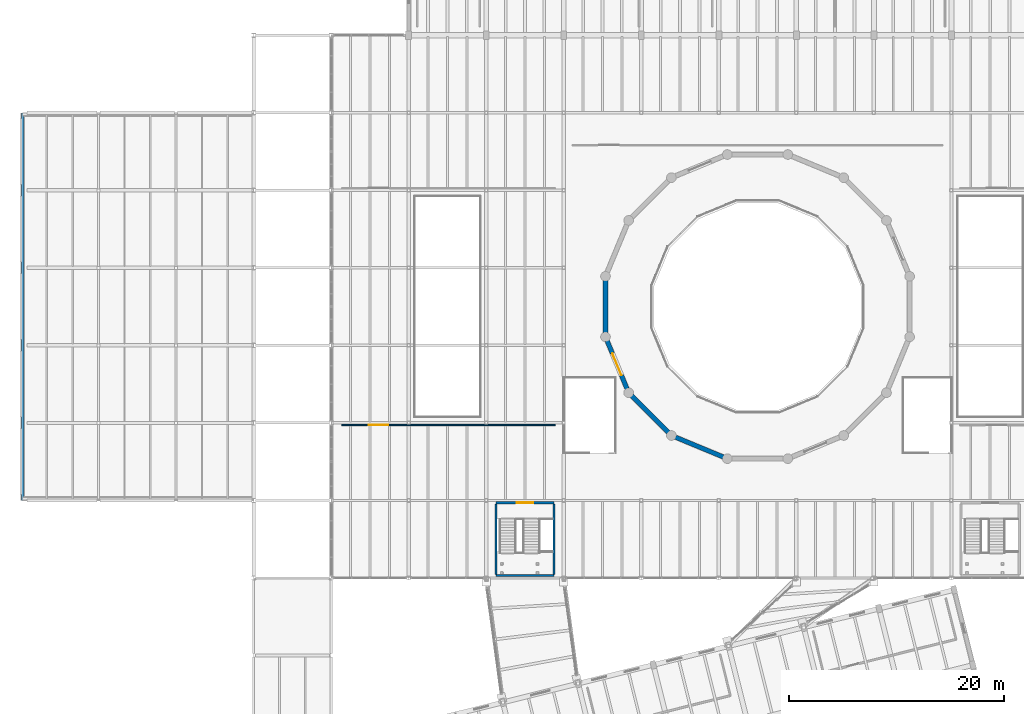
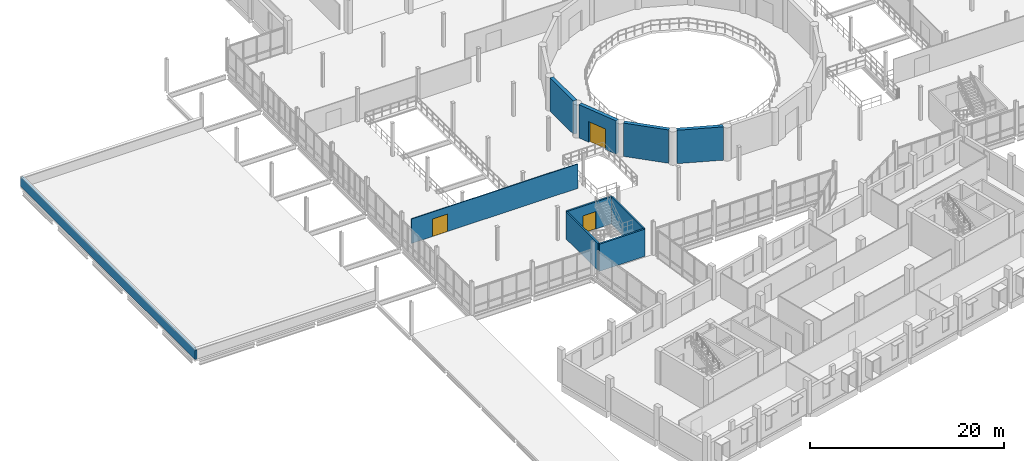
# One storey, part 56 of 72: 10 walls, 3 doors, 3 openings.
"""IFC4 building model written with IfcOpenShell, lengths in metres."""

import ifcopenshell
import ifcopenshell.guid

model = None  # the IFC model being written
_history = None  # IfcOwnerHistory: only IFC2X3 demands one
_inside = {}  # id of a spatial element -> (the spatial element, [elements in it])
_under = {}  # id of a project, library or spatial element -> (it, [spatial elements below it])
_declared = {}  # id of a project -> (the project, [libraries it declares])
_typed = {}  # id of a type object -> (the type object, [elements of that type])
_made_of = {}  # id of a material, layer set ... -> (it, [elements and type objects made of it])


def new_model(schema):
    """Start an empty IFC model of exactly this schema.

    Asked for "IFC4X3", IfcOpenShell would pick the latest addendum, in which some entities
    have other attributes; the version numbers below select the first issue.
    IFC2X3 requires an IfcOwnerHistory on every rooted entity: one is made here for all.
    """
    global model, _history
    if schema == "IFC4X3":
        model = ifcopenshell.file(schema_version=(4, 3, 0, 0))
    else:
        model = ifcopenshell.file(schema=schema)
    _inside.clear()
    _under.clear()
    _declared.clear()
    _typed.clear()
    _made_of.clear()
    _history = None
    if model.schema == "IFC2X3":
        org = make("IfcOrganization", Name="unknown")
        user = make(
            "IfcPersonAndOrganization",
            ThePerson=make("IfcPerson", FamilyName="unknown"),
            TheOrganization=org,
        )
        app = make(
            "IfcApplication",
            ApplicationDeveloper=org,
            Version="unknown",
            ApplicationFullName="unknown",
            ApplicationIdentifier="unknown",
        )
        _history = make(
            "IfcOwnerHistory",
            OwningUser=user,
            OwningApplication=app,
            ChangeAction="ADDED",
            CreationDate=0,
        )
    return model


def make(cls, **values):
    """One entity of the class cls with the attributes given. An attribute that is None is left unset."""
    return model.create_entity(
        cls, **{name: value for name, value in values.items() if value is not None}
    )


def rooted(cls, **values):
    """An entity with a GlobalId (a new one), such as an element, a storey or a relation."""
    return make(cls, GlobalId=ifcopenshell.guid.new(), OwnerHistory=_history, **values)


def si_unit(unit_type, name, prefix=None):
    """IfcSIUnit, for example si_unit("LENGTHUNIT", "METRE", prefix="MILLI")."""
    return make("IfcSIUnit", UnitType=unit_type, Prefix=prefix, Name=name)


def assignment(units):
    """IfcUnitAssignment: the units of a project."""
    return None if units is None else make("IfcUnitAssignment", Units=units)


def point(xyz):
    """IfcCartesianPoint."""
    return None if xyz is None else make("IfcCartesianPoint", Coordinates=xyz)


def direction(xyz):
    """IfcDirection."""
    return None if xyz is None else make("IfcDirection", DirectionRatios=xyz)


def frame(location, z_axis=None, x_axis=None):
    """IfcAxis2Placement3D, a coordinate frame: its origin and axes. An axis left out is left unset."""
    return make(
        "IfcAxis2Placement3D",
        Location=point(location),
        Axis=direction(z_axis),
        RefDirection=direction(x_axis),
    )


def frame_2d(location, x_axis=None):
    """IfcAxis2Placement2D, a coordinate frame in the plane: its origin and x axis."""
    return make(
        "IfcAxis2Placement2D", Location=point(location), RefDirection=direction(x_axis)
    )


def origin():
    """The frame at (0, 0, 0) with its axes left unset."""
    return frame((0.0, 0.0, 0.0))


def place(relative_to, where):
    """IfcLocalPlacement: puts the frame where relative to a parent placement (None: the world)."""
    return make(
        "IfcLocalPlacement", PlacementRelTo=relative_to, RelativePlacement=where
    )


def context(
    kind, dimensions, precision=None, world=None, true_north=None, identifier=None
):
    """IfcGeometricRepresentationContext, for example the 3D "Model" context."""
    return make(
        "IfcGeometricRepresentationContext",
        ContextIdentifier=identifier,
        ContextType=kind,
        CoordinateSpaceDimension=dimensions,
        Precision=precision,
        WorldCoordinateSystem=world,
        TrueNorth=true_north,
    )


def subcontext(parent, identifier, kind, view, scale=None):
    """IfcGeometricRepresentationSubContext, for example "Body" below "Model"."""
    return make(
        "IfcGeometricRepresentationSubContext",
        ContextIdentifier=identifier,
        ContextType=kind,
        ParentContext=parent,
        TargetScale=scale,
        TargetView=view,
    )


def project(units=None, contexts=None):
    """IfcProject with its units and contexts."""
    return rooted(
        "IfcProject",
        Name="project",
        RepresentationContexts=contexts,
        UnitsInContext=assignment(units),
    )


def spatial(cls, under=None, at=None, **own):
    """A site, building, storey or space (cls), placed at a placement, below another one or the project."""
    s = rooted(cls, ObjectPlacement=at, **own)
    if under is not None:
        _under.setdefault(under.id(), (under, []))[1].append(s)
    return s


def profile(cls, at=None, kind="AREA", **sizes):
    """A parametric profile (cls). Its sizes go by their IFC names, for example OverallWidth=200.0."""
    return make(cls, ProfileType=kind, Position=at, **sizes)


def rectangle(**sizes):
    """IfcRectangleProfileDef."""
    return profile("IfcRectangleProfileDef", **sizes)


def extrude(swept, where, along, depth):
    """IfcExtrudedAreaSolid: the profile swept, set in the frame where, extruded along a direction by depth."""
    return make(
        "IfcExtrudedAreaSolid",
        SweptArea=swept,
        Position=where,
        ExtrudedDirection=direction(along),
        Depth=depth,
    )


def shape(context_of_items, identifier, shape_type, items):
    """IfcShapeRepresentation: the items that make up one representation, for example the "Body"."""
    return make(
        "IfcShapeRepresentation",
        ContextOfItems=context_of_items,
        RepresentationIdentifier=identifier,
        RepresentationType=shape_type,
        Items=items,
    )


def material(Name=None, Category=None):
    """IfcMaterial."""
    return make("IfcMaterial", Name=Name, Category=Category)


def layer(
    of_material, thickness, ventilated=None, Name=None, Category=None, Priority=None
):
    """IfcMaterialLayer: one layer of a wall or slab, of a material (None: an air gap)."""
    return make(
        "IfcMaterialLayer",
        Material=of_material,
        LayerThickness=thickness,
        IsVentilated=ventilated,
        Name=Name,
        Category=Category,
        Priority=Priority,
    )


def layer_set(layers, Name=None):
    """IfcMaterialLayerSet."""
    return make("IfcMaterialLayerSet", MaterialLayers=layers, LayerSetName=Name)


def made_of(thing, what):
    """Note that an element or type object is made of a material, layer set ...; save() writes the relation."""
    if what is not None:
        _made_of.setdefault(what.id(), (what, []))[1].append(thing)
    return thing


def type_object(cls, material=None, **own):
    """A type object (cls), such as IfcWallType, which elements share."""
    return made_of(rooted(cls, **own), material)


def element(
    cls,
    number,
    at=None,
    inside=None,
    cuts=None,
    type_object=None,
    material=None,
    context=None,
    identifier="Body",
    shape_type=None,
    held_by="IfcProductDefinitionShape",
    body=None,
    shapes=None,
    **own,
):
    """One element of the class cls, such as IfcWall. Its Tag is "e" and its number.

    at: its placement. inside: the storey or other place that contains it. cuts: it is an
    opening in that element (IfcRelVoidsElement). A single representation is given by context,
    identifier, shape_type and body (its items); several are given by shapes. held_by: the class
    of the entity that holds the representations. save() writes the other relations.
    """
    e = rooted(cls, Tag="e%d" % number, ObjectPlacement=at, **own)
    if body is not None:
        shapes = [shape(context, identifier, shape_type, body)]
    if shapes is not None:
        e.Representation = make(held_by, Representations=shapes)
    if inside is not None:
        _inside.setdefault(inside.id(), (inside, []))[1].append(e)
    if cuts is not None:
        rooted(
            "IfcRelVoidsElement", RelatingBuildingElement=cuts, RelatedOpeningElement=e
        )
    if type_object is not None:
        _typed.setdefault(type_object.id(), (type_object, []))[1].append(e)
    return made_of(e, material)


def fill(opening, filler):
    """IfcRelFillsElement: the door or window that sits in an opening."""
    return rooted(
        "IfcRelFillsElement",
        RelatingOpeningElement=opening,
        RelatedBuildingElement=filler,
    )


def aggregate(whole, parts):
    """IfcRelAggregates: a whole, such as a stair, and the parts it consists of."""
    return rooted("IfcRelAggregates", RelatingObject=whole, RelatedObjects=parts)


def save(model, path):
    """Write the relations noted so far, then the file.

    IfcRelAggregates (storeys below a building ...), IfcRelContainedInSpatialStructure (elements
    in a storey), IfcRelDefinesByType, IfcRelAssociatesMaterial and IfcRelDeclares: one each for
    every whole, place, type object, material and project.
    """
    for whole, parts in _under.values():
        aggregate(whole, parts)
    for where, things in _inside.values():
        rooted(
            "IfcRelContainedInSpatialStructure",
            RelatedElements=things,
            RelatingStructure=where,
        )
    for kind, things in _typed.values():
        rooted("IfcRelDefinesByType", RelatedObjects=things, RelatingType=kind)
    for what, things in _made_of.values():
        rooted("IfcRelAssociatesMaterial", RelatedObjects=things, RelatingMaterial=what)
    for by, libraries in _declared.values():
        rooted("IfcRelDeclares", RelatingContext=by, RelatedDefinitions=libraries)
    model.write(path)


model = new_model("IFC4")

# Units and contexts
model_context = context("Model", 3, precision=1e-05, world=origin(), true_north=direction((0.0, 1.0)))
body_context = subcontext(model_context, "Body", "Model", "MODEL_VIEW")
ifc_project = project(units=[si_unit("LENGTHUNIT", "METRE"), si_unit("AREAUNIT", "SQUARE_METRE"), si_unit("VOLUMEUNIT", "CUBIC_METRE"), si_unit("PLANEANGLEUNIT", "RADIAN"), si_unit("MASSUNIT", "GRAM", prefix="KILO")], contexts=[model_context])

# Site, building, storey
site_placement = place(None, origin())
site = spatial("IfcSite", under=ifc_project, at=site_placement, CompositionType="ELEMENT")
building_placement = place(site_placement, origin())
building = spatial("IfcBuilding", under=site, at=building_placement, Name="Qiaolan Assembly House", CompositionType="ELEMENT")
storey_placement = place(building_placement, frame((0.0, 0.0, 10.199951171875)))
storey = spatial("IfcBuildingStorey", under=building, at=storey_placement, Name="L02", CompositionType="ELEMENT", Elevation=10.199951171875)

# Wall
ifc_material_1 = material(Name="Concrete C50/60", Category="concrete")
ifc_layer_1 = layer(ifc_material_1, 0.419921875)
ifc_layer_set_1 = layer_set([ifc_layer_1], Name="Concrete C50/60")
wall_type_1 = type_object("IfcWallType", Name="WAL-DRUM-420", PredefinedType="SHEAR", material=ifc_layer_set_1)
wall_1_placement = place(storey_placement, frame((54.276611328125, 58.790771484375, 0.0), z_axis=(0.0, 0.0, 1.0), x_axis=(0.0, 1.0, 0.0)))
element("IfcWall", 1, at=wall_1_placement, inside=storey, type_object=wall_type_1, Name="DW-420 council chamber drum wall 8 L02", PredefinedType="SHEAR", context=body_context, shape_type="SweptSolid", body=[
    extrude(rectangle(XDim=4.818603515625, YDim=0.419921875, at=frame_2d((2.4091796875, 0.0))), origin(), (0.0, 0.0, 1.0), 4.199951171875),
])

# Wall, opening, door
wall_2_placement = place(storey_placement, frame((56.273681640625, 53.5693359375, 0.0), z_axis=(0.0, 0.0, 1.0), x_axis=(-0.382675461762, 0.923882834003, 0.0)))
wall_2 = element("IfcWall", 2, at=wall_2_placement, inside=storey, type_object=wall_type_1, Name="DW-420 council chamber drum wall 9 L02", PredefinedType="SHEAR", context=body_context, shape_type="SweptSolid", body=[
    extrude(rectangle(XDim=4.818603515625, YDim=0.419921875, at=frame_2d((2.4091796875, 0.0))), origin(), (0.0, 0.0, 1.0), 4.199951171875),
])
opening_1_placement = place(wall_2_placement, frame((1.35009765625, 0.0, 0.0)))
opening_1 = element("IfcOpeningElement", 3, at=opening_1_placement, cuts=wall_2, Name="Opening CD-150", PredefinedType="OPENING", context=body_context, shape_type="SweptSolid", body=[
    extrude(rectangle(XDim=2.199951171875, YDim=2.60009765625, at=frame_2d((1.10009765625, 1.300048828125))), frame((0.0, 0.219970703125, 0.0), z_axis=(0.0, -1.0, 0.0), x_axis=(1.0, 0.0, 0.0)), (0.0, 0.0, 1.0), 0.43994140625),
])
ifc_material_2 = material(Name="Acoustic oak panelling")
door_type_1 = type_object("IfcDoorType", Name="DOR-CHAMBER-2200", OperationType="DOUBLE_DOOR_SINGLE_SWING", PredefinedType="DOOR", material=ifc_material_2)
door_1_placement = place(opening_1_placement, origin())
door_1 = element("IfcDoor", 4, at=door_1_placement, inside=storey, type_object=door_type_1, Name="Council Chamber ceremonial acoustic door CD-150", OperationType="DOUBLE_DOOR_SINGLE_SWING", OverallHeight=2.60009765625, OverallWidth=2.199951171875, PredefinedType="DOOR", context=body_context, shape_type="SweptSolid", body=[
    extrude(rectangle(XDim=2.199951171875, YDim=2.60009765625, at=frame_2d((1.10009765625, 1.300048828125))), frame((0.0, 0.02490234375, 0.0), z_axis=(0.0, -1.0, 0.0), x_axis=(1.0, 0.0, 0.0)), (0.0, 0.0, 1.0), 0.050048828125),
])
fill(opening_1, door_1)

# Walls
for number, where, z_axis, x_axis, name in (
    (5, (60.116943359375, 49.509765625, 0.0), (0.0, 0.0, 1.0), (-0.707106781187, 0.707106781187, 0.0), "DW-420 council chamber drum wall 10 L02"),
    (6, (65.22119140625, 47.229736328125, 0.0), (0.0, 0.0, 1.0), (-0.923882834003, 0.382675461762, 0.0), "DW-420 council chamber drum wall 11 L02"),
):
    element("IfcWall", number, at=place(storey_placement, frame(where, z_axis=z_axis, x_axis=x_axis)), inside=storey, type_object=wall_type_1, Name=name, PredefinedType="SHEAR", context=body_context, shape_type="SweptSolid", body=[
        extrude(rectangle(XDim=4.818603515625, YDim=0.419921875, at=frame_2d((2.4091796875, 0.0))), origin(), (0.0, 0.0, 1.0), 4.199951171875),
    ])

# Wall, opening, door
ifc_material_3 = material(Name="Concrete C35/45", Category="concrete")
ifc_layer_2 = layer(ifc_material_3, 0.199951171875)
ifc_layer_set_2 = layer_set([ifc_layer_2], Name="Concrete C35/45")
wall_type_2 = type_object("IfcWallType", Name="WAL-LOBBY-200", PredefinedType="PARTITIONING", material=ifc_layer_set_2)
wall_3_placement = place(storey_placement, frame((44.10009765625, 42.97998046875, 0.0), z_axis=(0.0, 0.0, 1.0), x_axis=(1.0, 0.0, 0.0)))
wall_3 = element("IfcWall", 7, at=wall_3_placement, inside=storey, type_object=wall_type_2, Name="LW-200 foyer stairwell north wall F1 L02", PredefinedType="PARTITIONING", context=body_context, shape_type="SweptSolid", body=[
    extrude(rectangle(XDim=5.39990234375, YDim=0.199951171875, at=frame_2d((2.699951171875, 0.0))), origin(), (0.0, 0.0, 1.0), 3.420166015625),
])
opening_2_placement = place(wall_3_placement, frame((1.949951171875, 0.0, 0.0)))
opening_2 = element("IfcOpeningElement", 8, at=opening_2_placement, cuts=wall_3, Name="Opening FD-912", PredefinedType="OPENING", context=body_context, shape_type="SweptSolid", body=[
    extrude(rectangle(XDim=1.5, YDim=2.199951171875, at=frame_2d((0.75, 1.10009765625))), frame((0.0, 0.10986328125, 0.0), z_axis=(0.0, -1.0, 0.0), x_axis=(1.0, 0.0, 0.0)), (0.0, 0.0, 1.0), 0.219970703125),
])
door_type_2 = type_object("IfcDoorType", Name="DOR-LOBBY-FD60-1500", OperationType="DOUBLE_DOOR_SINGLE_SWING", PredefinedType="DOOR", material=ifc_material_2)
door_2_placement = place(opening_2_placement, origin())
door_2 = element("IfcDoor", 9, at=door_2_placement, inside=storey, type_object=door_type_2, Name="Foyer stairwell fire door FD-912", OperationType="DOUBLE_DOOR_SINGLE_SWING", OverallHeight=2.199951171875, OverallWidth=1.5, PredefinedType="DOOR", context=body_context, shape_type="SweptSolid", body=[
    extrude(rectangle(XDim=1.5, YDim=2.199951171875, at=frame_2d((0.75, 1.10009765625))), frame((0.0, 0.02490234375, 0.0), z_axis=(0.0, -1.0, 0.0), x_axis=(1.0, 0.0, 0.0)), (0.0, 0.0, 1.0), 0.050048828125),
])
fill(opening_2, door_2)

# Walls
wall_4_placement = place(storey_placement, frame((49.5, 36.219970703125, 0.0), z_axis=(0.0, 0.0, 1.0), x_axis=(-1.0, 0.0, 0.0)))
element("IfcWall", 10, at=wall_4_placement, inside=storey, type_object=wall_type_2, Name="LW-200 foyer stairwell south wall F1 L02", PredefinedType="PARTITIONING", context=body_context, shape_type="SweptSolid", body=[
    extrude(rectangle(XDim=5.39990234375, YDim=0.199951171875, at=frame_2d((2.699951171875, 0.0))), origin(), (0.0, 0.0, 1.0), 3.420166015625),
])
for number, where, z_axis, x_axis, name in (
    (11, (44.10009765625, 42.8798828125, 0.0), (0.0, 0.0, 1.0), (0.0, -1.0, 0.0), "LW-200 foyer stairwell west wall F1 L02"),
    (12, (49.5, 36.320068359375, 0.0), (0.0, 0.0, 1.0), (0.0, 1.0, 0.0), "LW-200 foyer stairwell east wall F1 L02"),
):
    element("IfcWall", number, at=place(storey_placement, frame(where, z_axis=z_axis, x_axis=x_axis)), inside=storey, type_object=wall_type_2, Name=name, PredefinedType="PARTITIONING", context=body_context, shape_type="SweptSolid", body=[
        extrude(rectangle(XDim=6.559814453125, YDim=0.199951171875, at=frame_2d((3.27978515625, 0.0))), origin(), (0.0, 0.0, 1.0), 3.420166015625),
    ])
ifc_material_4 = material(Name="Precast concrete C40/50", Category="concrete")
ifc_layer_3 = layer(ifc_material_4, 0.25)
ifc_layer_set_3 = layer_set([ifc_layer_3], Name="Precast concrete C40/50")
wall_type_3 = type_object("IfcWallType", Name="WAL-PARAPET-250", PredefinedType="PARAPET", material=ifc_layer_set_3)
wall_5_placement = place(storey_placement, frame((0.14990234375, 43.199951171875, 0.0), z_axis=(0.0, 0.0, 1.0), x_axis=(0.0, 1.0, 0.0)))
element("IfcWall", 13, at=wall_5_placement, inside=storey, type_object=wall_type_3, Name="PW-250 neoclassical cornice parapet wall PAR-PORT-W", PredefinedType="PARAPET", context=body_context, shape_type="SweptSolid", body=[
    extrude(rectangle(XDim=36.0, YDim=0.25, at=frame_2d((18.0, 0.0))), origin(), (0.0, 0.0, 1.0), 1.199951171875),
])

# Wall, opening, door
ifc_material_5 = material(Name="Low-E double insulating glass", Category="glass")
ifc_layer_4 = layer(ifc_material_5, 0.10498046875)
ifc_layer_set_4 = layer_set([ifc_layer_4], Name="Low-E double insulating glass")
wall_type_4 = type_object("IfcWallType", Name="WAL-PART-GLAZED-120", PredefinedType="PARTITIONING", material=ifc_layer_set_4)
wall_6_placement = place(storey_placement, frame((29.800048828125, 50.199951171875, 0.0), z_axis=(0.0, 0.0, 1.0), x_axis=(1.0, 0.0, 0.0)))
wall_6 = element("IfcWall", 14, at=wall_6_placement, inside=storey, type_object=wall_type_4, Name="Urban Heritage & Architecture Gallery glazed partition", PredefinedType="PARTITIONING", context=body_context, shape_type="SweptSolid", body=[
    extrude(rectangle(XDim=19.800048828125, YDim=0.10498046875, at=frame_2d((9.89990234375, 0.0))), origin(), (0.0, 0.0, 1.0), 3.080078125),
])
opening_3_placement = place(wall_6_placement, frame((2.5, 0.0, 0.0)))
opening_3 = element("IfcOpeningElement", 15, at=opening_3_placement, cuts=wall_6, Name="Opening GD-167", PredefinedType="OPENING", context=body_context, shape_type="SweptSolid", body=[
    extrude(rectangle(XDim=1.800048828125, YDim=2.199951171875, at=frame_2d((0.89990234375, 1.10009765625))), frame((0.0, 0.0625, 0.0), z_axis=(0.0, -1.0, 0.0), x_axis=(1.0, 0.0, 0.0)), (0.0, 0.0, 1.0), 0.125),
])
ifc_material_6 = material(Name="Anodised bronze aluminium", Category="aluminium")
door_type_3 = type_object("IfcDoorType", Name="DOR-CORR-DBL-1800", OperationType="DOUBLE_DOOR_SINGLE_SWING", PredefinedType="DOOR", material=ifc_material_6)
door_3_placement = place(opening_3_placement, origin())
door_3 = element("IfcDoor", 16, at=door_3_placement, inside=storey, type_object=door_type_3, Name="Urban Heritage & Architecture Gallery door GD-167", OperationType="DOUBLE_DOOR_SINGLE_SWING", OverallHeight=2.199951171875, OverallWidth=1.800048828125, PredefinedType="DOOR", context=body_context, shape_type="SweptSolid", body=[
    extrude(rectangle(XDim=1.800048828125, YDim=2.199951171875, at=frame_2d((0.89990234375, 1.10009765625))), frame((0.0, 0.02490234375, 0.0), z_axis=(0.0, -1.0, 0.0), x_axis=(1.0, 0.0, 0.0)), (0.0, 0.0, 1.0), 0.050048828125),
])
fill(opening_3, door_3)

save(model, "model.ifc")
